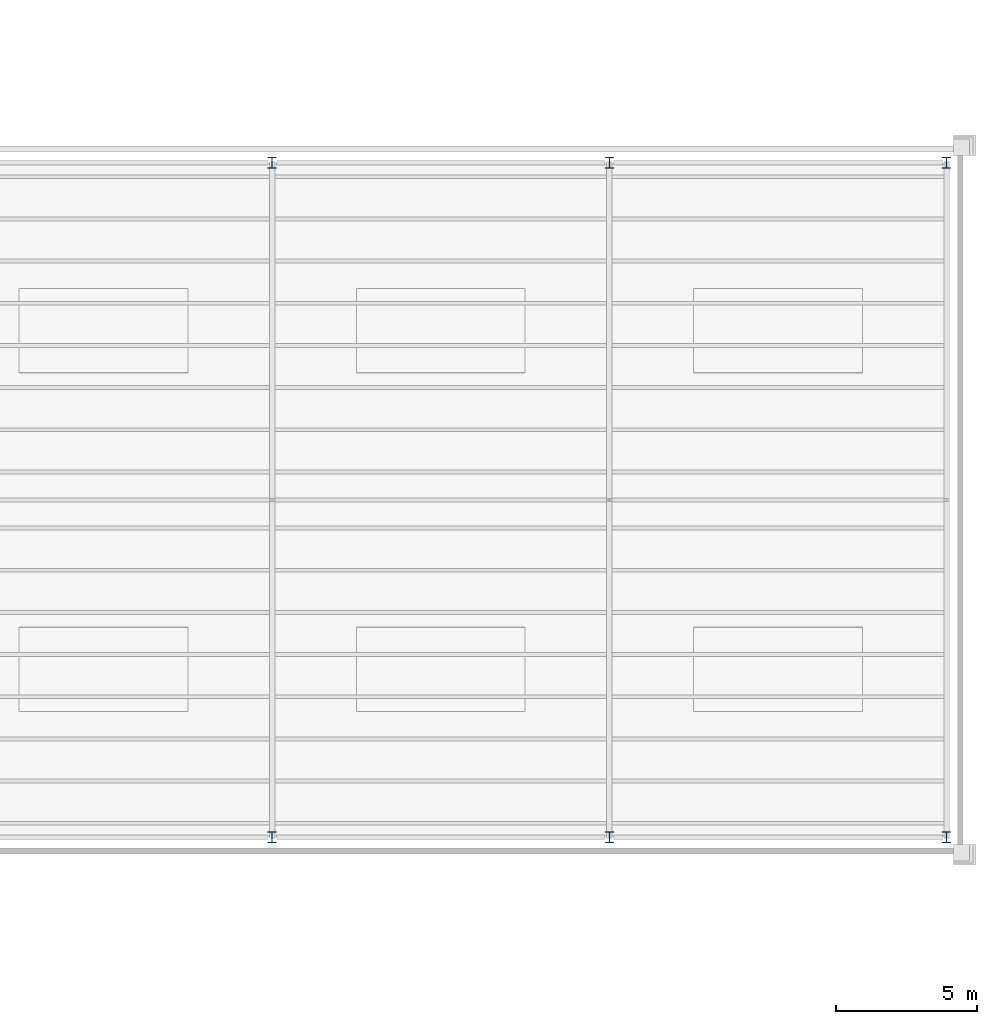
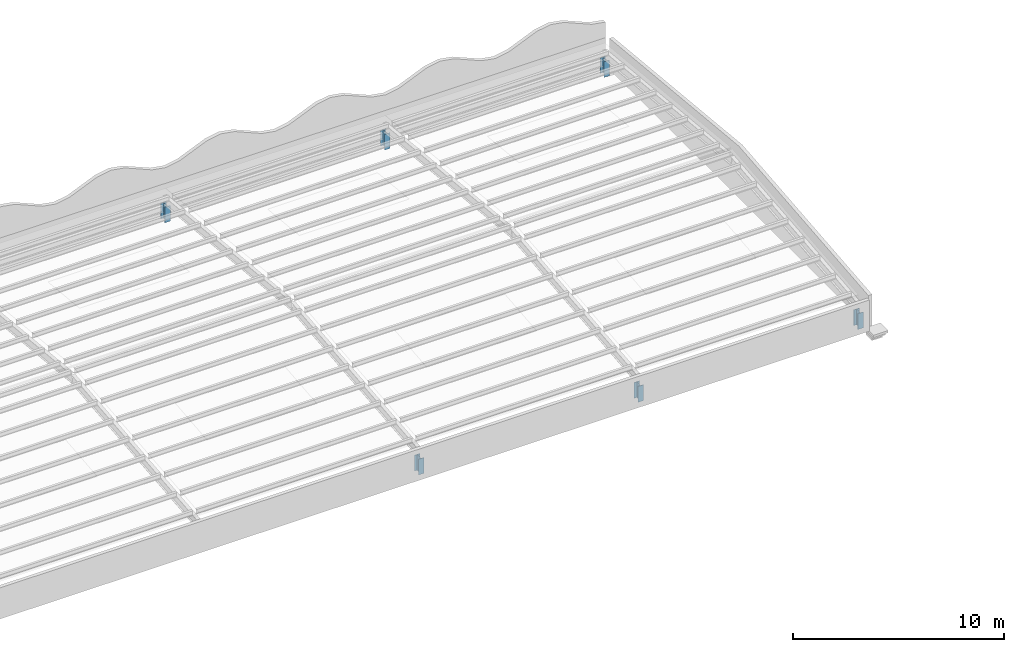
# One storey, part 33 of 170: 6 columns.
"""IFC4 building model written with IfcOpenShell, lengths in metres."""

from ifc_helpers import new_model, si_unit, direction, frame, origin, origin_2d, place, context, subcontext, project, spatial, i_section, extrude, material, material_profile, profile_set, type_object, element, save


model = new_model("IFC4")

# Units and contexts
model_context = context("Model", 3, precision=1e-05, world=origin(), true_north=direction((0.0, 1.0)))
body_context = subcontext(model_context, "Body", "Model", "MODEL_VIEW")
ifc_project = project(units=[si_unit("LENGTHUNIT", "METRE"), si_unit("AREAUNIT", "SQUARE_METRE"), si_unit("VOLUMEUNIT", "CUBIC_METRE"), si_unit("PLANEANGLEUNIT", "RADIAN"), si_unit("MASSUNIT", "GRAM", prefix="KILO")], contexts=[model_context])

# Site, building, storey
site_placement = place(None, origin())
site = spatial("IfcSite", under=ifc_project, at=site_placement, CompositionType="ELEMENT")
building_placement = place(site_placement, origin())
building = spatial("IfcBuilding", under=site, at=building_placement, Name="Ravi Spectrum Wholesale Market", CompositionType="ELEMENT")
storey_placement = place(building_placement, frame((0.0, 0.0, 5.39990234375)))
storey = spatial("IfcBuildingStorey", under=building, at=storey_placement, Name="L01", CompositionType="ELEMENT", Elevation=5.39990234375)

# Columns
ifc_material = material(Name="Steel S355", Category="steel")
ifc_material_profile = material_profile(ifc_material, i_section(OverallWidth=0.300048828125, OverallDepth=0.39990234375, WebThickness=0.013427734375, FlangeThickness=0.02392578125, at=origin_2d()))
ifc_profile_set = profile_set([ifc_material_profile], Name="Steel S355")
column_type = type_object("IfcColumnType", Name="HEB 400 column", PredefinedType="COLUMN", material=ifc_profile_set)
for number, where, z_axis, x_axis, name in (
    (1, (270.0, 162.0, 0.0), (0.0, 0.0, 1.0), (1.0, 0.0, 0.0), "GS-COL-L01-009"),
    (2, (270.0, 186.0, 0.0), (0.0, 0.0, 1.0), (1.0, 0.0, 0.0), "GS-COL-L01-010"),
    (3, (282.0, 162.0, 0.0), (0.0, 0.0, 1.0), (1.0, 0.0, 0.0), "GS-COL-L01-011"),
    (4, (282.0, 186.0, 0.0), (0.0, 0.0, 1.0), (1.0, 0.0, 0.0), "GS-COL-L01-012"),
    (5, (294.0, 162.0, 0.0), (0.0, 0.0, 1.0), (1.0, 0.0, 0.0), "GS-COL-L01-013"),
    (6, (294.0, 186.0, 0.0), (0.0, 0.0, 1.0), (1.0, 0.0, 0.0), "GS-COL-L01-014"),
):
    element("IfcColumn", number, at=place(storey_placement, frame(where, z_axis=z_axis, x_axis=x_axis)), inside=storey, type_object=column_type, Name=name, PredefinedType="COLUMN", context=body_context, shape_type="SweptSolid", body=[
        extrude(i_section(OverallWidth=0.300048828125, OverallDepth=0.39990234375, WebThickness=0.013427734375, FlangeThickness=0.02392578125, at=origin_2d()), origin(), (0.0, 0.0, 1.0), 0.906982421875),
    ])

save(model, "model.ifc")
